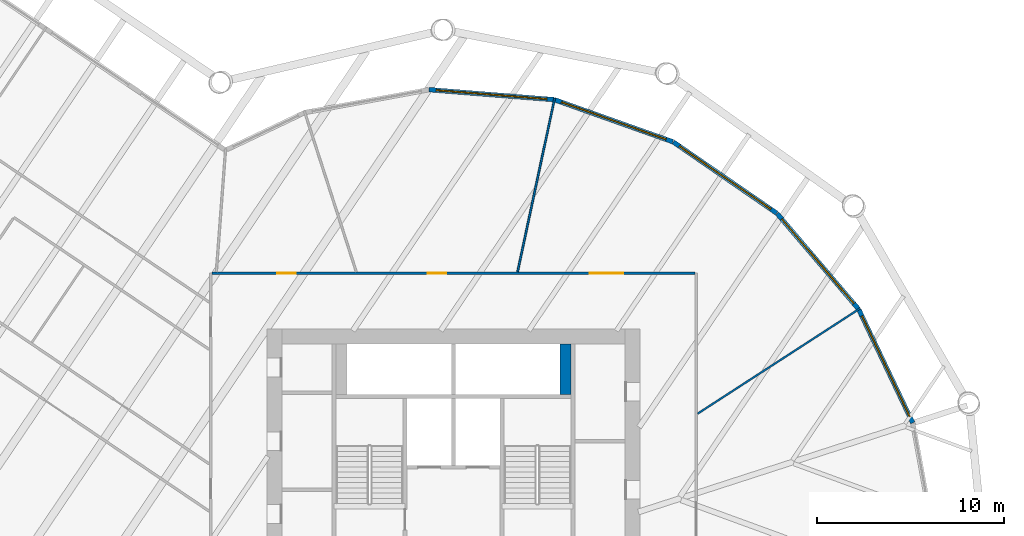
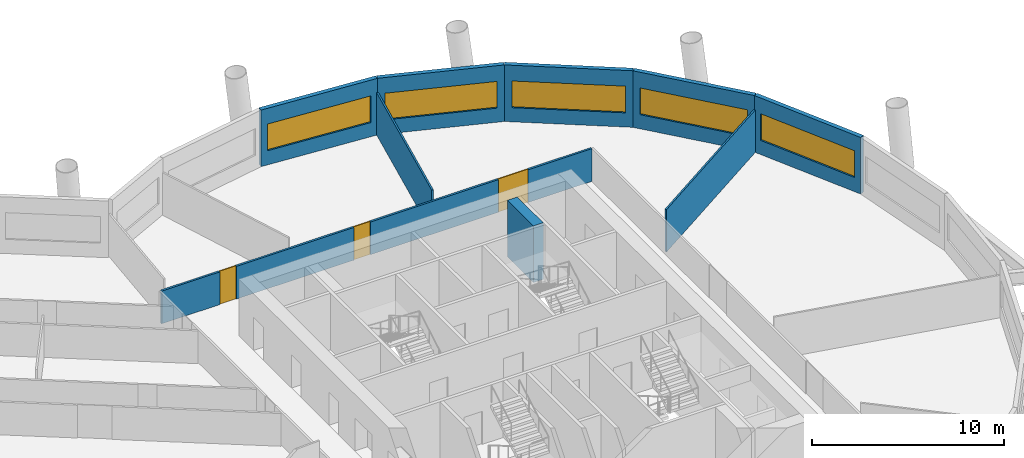
# One storey, part 7 of 13: 9 walls, 5 windows, 3 doors, 8 openings.
"""IFC4 building model written with IfcOpenShell, lengths in metres."""

from ifc_helpers import new_model, si_unit, direction, frame, frame_2d, origin, place, context, subcontext, project, spatial, rectangle, extrude, material, layer, layer_set, type_object, element, fill, save


model = new_model("IFC4")

# Units and contexts
model_context = context("Model", 3, precision=1e-05, world=origin(), true_north=direction((0.0, 1.0)))
body_context = subcontext(model_context, "Body", "Model", "MODEL_VIEW")
ifc_project = project(units=[si_unit("LENGTHUNIT", "METRE"), si_unit("AREAUNIT", "SQUARE_METRE"), si_unit("VOLUMEUNIT", "CUBIC_METRE"), si_unit("PLANEANGLEUNIT", "RADIAN"), si_unit("MASSUNIT", "GRAM", prefix="KILO")], contexts=[model_context])

# Site, building, storey
site_placement = place(None, origin())
site = spatial("IfcSite", under=ifc_project, at=site_placement, CompositionType="ELEMENT")
building_placement = place(site_placement, origin())
building = spatial("IfcBuilding", under=site, at=building_placement, Name="Tarsis Ring Headquarters", CompositionType="ELEMENT")
storey_placement = place(building_placement, frame((0.0, 0.0, 135.699951171875)))
storey = spatial("IfcBuildingStorey", under=building, at=storey_placement, Name="L31", CompositionType="ELEMENT", Elevation=135.699951171875)

# Walls
ifc_material_1 = material(Name="Gypsum board on steel studs", Category="steel")
ifc_layer_1 = layer(ifc_material_1, 0.10009765625)
ifc_layer_set_1 = layer_set([ifc_layer_1], Name="FL partition 100 unrated")
wall_type_1 = type_object("IfcWallType", Name="FL partition 100 unrated", PredefinedType="PARTITIONING", material=ifc_layer_set_1)
wall_1_placement = place(storey_placement, frame((13.083984375, 8.477294921875, 0.0), z_axis=(0.0, 0.0, 1.0), x_axis=(0.839242426289, 0.543757436654, 0.0)))
element("IfcWall", 1, at=wall_1_placement, inside=storey, type_object=wall_type_1, Name="Partition PW3", PredefinedType="PARTITIONING", context=body_context, shape_type="SweptSolid", body=[
    extrude(rectangle(XDim=10.357666015625, YDim=0.10009765625, at=frame_2d((5.1787109375, 0.0))), origin(), (0.0, 0.0, 1.0), 2.699951171875),
])
wall_2_placement = place(storey_placement, frame((3.43310546875, 16.068603515625, 0.0), z_axis=(0.0, 0.0, 1.0), x_axis=(0.208926367091, 0.97793137445, 0.0)))
element("IfcWall", 2, at=wall_2_placement, inside=storey, type_object=wall_type_1, Name="Partition PW3", PredefinedType="PARTITIONING", context=body_context, shape_type="SweptSolid", body=[
    extrude(rectangle(XDim=9.5166015625, YDim=0.10009765625, at=frame_2d((4.75830078125, 0.0))), origin(), (0.0, 0.0, 1.0), 2.699951171875),
])

# Wall, openings, doors
ifc_layer_2 = layer(ifc_material_1, 0.125)
ifc_layer_set_2 = layer_set([ifc_layer_2], Name="FL partition 125 EI 60 H2080")
wall_type_2 = type_object("IfcWallType", Name="FL partition 125 EI 60 H2080", PredefinedType="PARTITIONING", material=ifc_layer_set_2)
wall_3_placement = place(storey_placement, frame((-12.93994140625, 16.0, 0.0), z_axis=(0.0, 0.0, 1.0), x_axis=(1.0, 0.0, 0.0)))
wall_3 = element("IfcWall", 3, at=wall_3_placement, inside=storey, type_object=wall_type_2, Name="Partition PW1H208", PredefinedType="PARTITIONING", context=body_context, shape_type="SweptSolid", body=[
    extrude(rectangle(XDim=25.8798828125, YDim=0.125, at=frame_2d((12.93994140625, 0.0))), origin(), (0.0, 0.0, 1.0), 2.080078125),
])
opening_1_placement = place(wall_3_placement, frame((3.49169921875, 0.0, 0.0)))
opening_1 = element("IfcOpeningElement", 4, at=opening_1_placement, cuts=wall_3, Name="Opening D31.04", PredefinedType="OPENING", context=body_context, shape_type="SweptSolid", body=[
    extrude(rectangle(XDim=1.0, YDim=2.10009765625, at=frame_2d((0.5, 1.050048828125))), frame((0.0, 0.072509765625, 0.0), z_axis=(0.0, -1.0, 0.0), x_axis=(1.0, 0.0, 0.0)), (0.0, 0.0, 1.0), 0.14501953125),
])
opening_2_placement = place(wall_3_placement, frame((11.55908203125, 0.0, 0.0)))
opening_2 = element("IfcOpeningElement", 5, at=opening_2_placement, cuts=wall_3, Name="Opening D31.05", PredefinedType="OPENING", context=body_context, shape_type="SweptSolid", body=[
    extrude(rectangle(XDim=1.0, YDim=2.10009765625, at=frame_2d((0.5, 1.050048828125))), frame((0.0, 0.072509765625, 0.0), z_axis=(0.0, -1.0, 0.0), x_axis=(1.0, 0.0, 0.0)), (0.0, 0.0, 1.0), 0.14501953125),
])
opening_3_placement = place(wall_3_placement, frame((20.249267578125, 0.0, 0.0)))
opening_3 = element("IfcOpeningElement", 6, at=opening_3_placement, cuts=wall_3, Name="Opening D31.06", PredefinedType="OPENING", context=body_context, shape_type="SweptSolid", body=[
    extrude(rectangle(XDim=1.800048828125, YDim=2.10009765625, at=frame_2d((0.89990234375, 1.050048828125))), frame((0.0, 0.072509765625, 0.0), z_axis=(0.0, -1.0, 0.0), x_axis=(1.0, 0.0, 0.0)), (0.0, 0.0, 1.0), 0.14501953125),
])
ifc_material_2 = material(Name="Fire-rated timber door leaf in steel frame", Category="steel")
door_type_1 = type_object("IfcDoorType", Name="FL door FD60-1000", OperationType="NOTDEFINED", PredefinedType="DOOR", material=ifc_material_2)
door_1_placement = place(opening_1_placement, origin())
door_1 = element("IfcDoor", 7, at=door_1_placement, inside=storey, type_object=door_type_1, Name="Door D31.04", OperationType="SINGLE_SWING_LEFT", OverallHeight=2.10009765625, OverallWidth=1.0, PredefinedType="DOOR", context=body_context, shape_type="SweptSolid", body=[
    extrude(rectangle(XDim=1.0, YDim=2.10009765625, at=frame_2d((0.5, 1.050048828125))), frame((0.0, 0.02490234375, 0.0), z_axis=(0.0, -1.0, 0.0), x_axis=(1.0, 0.0, 0.0)), (0.0, 0.0, 1.0), 0.050048828125),
])
fill(opening_1, door_1)
door_2_placement = place(opening_2_placement, origin())
door_2 = element("IfcDoor", 8, at=door_2_placement, inside=storey, type_object=door_type_1, Name="Door D31.05", OperationType="SINGLE_SWING_RIGHT", OverallHeight=2.10009765625, OverallWidth=1.0, PredefinedType="DOOR", context=body_context, shape_type="SweptSolid", body=[
    extrude(rectangle(XDim=1.0, YDim=2.10009765625, at=frame_2d((0.5, 1.050048828125))), frame((0.0, 0.02490234375, 0.0), z_axis=(0.0, -1.0, 0.0), x_axis=(1.0, 0.0, 0.0)), (0.0, 0.0, 1.0), 0.050048828125),
])
fill(opening_2, door_2)
door_type_2 = type_object("IfcDoorType", Name="FL door FD60-1800", OperationType="DOUBLE_DOOR_SINGLE_SWING", PredefinedType="DOOR", material=ifc_material_2)
door_3_placement = place(opening_3_placement, origin())
door_3 = element("IfcDoor", 9, at=door_3_placement, inside=storey, type_object=door_type_2, Name="Door D31.06", OperationType="DOUBLE_DOOR_SINGLE_SWING", OverallHeight=2.10009765625, OverallWidth=1.800048828125, PredefinedType="DOOR", context=body_context, shape_type="SweptSolid", body=[
    extrude(rectangle(XDim=1.800048828125, YDim=2.10009765625, at=frame_2d((0.89990234375, 1.050048828125))), frame((0.0, 0.02490234375, 0.0), z_axis=(0.0, -1.0, 0.0), x_axis=(1.0, 0.0, 0.0)), (0.0, 0.0, 1.0), 0.050048828125),
])
fill(opening_3, door_3)

# Wall, opening, window
ifc_material_3 = material(Name="Terracotta clad insulated panel wall", Category="masonry")
ifc_layer_3 = layer(ifc_material_3, 0.25)
ifc_layer_set_3 = layer_set([ifc_layer_3], Name="Facade wall terracotta panel 250")
wall_type_3 = type_object("IfcWallType", Name="Facade wall terracotta panel 250", PredefinedType="STANDARD", material=ifc_layer_set_3)
wall_4_placement = place(storey_placement, frame((24.60888671875, 7.984619140625, 0.0), z_axis=(0.0, 0.0, 1.0), x_axis=(-0.429576842152, 0.903030307734, 0.0)))
wall_4 = element("IfcWall", 10, at=wall_4_placement, inside=storey, type_object=wall_type_3, Name="External wall L31-24", PredefinedType="STANDARD", context=body_context, shape_type="SweptSolid", body=[
    extrude(rectangle(XDim=6.7216796875, YDim=0.25, at=frame_2d((3.36083984375, 0.0))), origin(), (0.0, 0.0, 1.0), 3.60009765625),
])
opening_4_placement = place(wall_4_placement, frame((0.3857421875, 0.0, 0.89990234375)))
opening_4 = element("IfcOpeningElement", 11, at=opening_4_placement, cuts=wall_4, Name="Opening WN07", PredefinedType="OPENING", context=body_context, shape_type="SweptSolid", body=[
    extrude(rectangle(XDim=5.949951171875, YDim=1.699951171875, at=frame_2d((2.97509765625, 0.85009765625))), frame((0.0, 0.135009765625, 0.0), z_axis=(0.0, -1.0, 0.0), x_axis=(1.0, 0.0, 0.0)), (0.0, 0.0, 1.0), 0.27001953125),
])
ifc_material_4 = material(Name="Aluminium framed double glazing", Category="aluminium")
window_type = type_object("IfcWindowType", Name="Facade window 5950 x 1700", PartitioningType="SINGLE_PANEL", PredefinedType="WINDOW", material=ifc_material_4)
window_1_placement = place(opening_4_placement, origin())
window_1 = element("IfcWindow", 12, at=window_1_placement, inside=storey, type_object=window_type, Name="Window L31-24.1", OverallHeight=1.699951171875, OverallWidth=5.949951171875, PartitioningType="SINGLE_PANEL", PredefinedType="WINDOW", context=body_context, shape_type="SweptSolid", body=[
    extrude(rectangle(XDim=5.949951171875, YDim=1.699951171875, at=frame_2d((2.97509765625, 0.85009765625))), frame((0.0, 0.030029296875, 0.0), z_axis=(0.0, -1.0, 0.0), x_axis=(1.0, 0.0, 0.0)), (0.0, 0.0, 1.0), 0.06005859375),
])
fill(opening_4, window_1)

wall_5_placement = place(storey_placement, frame((21.703857421875, 14.081787109375, 0.0), z_axis=(0.0, 0.0, 1.0), x_axis=(-0.648662101469, 0.761076525796, 0.0)))
wall_5 = element("IfcWall", 13, at=wall_5_placement, inside=storey, type_object=wall_type_3, Name="External wall L31-25", PredefinedType="STANDARD", context=body_context, shape_type="SweptSolid", body=[
    extrude(rectangle(XDim=6.7216796875, YDim=0.25, at=frame_2d((3.36083984375, 0.0))), origin(), (0.0, 0.0, 1.0), 3.60009765625),
])
opening_5_placement = place(wall_5_placement, frame((0.3857421875, 0.0, 0.89990234375)))
opening_5 = element("IfcOpeningElement", 14, at=opening_5_placement, cuts=wall_5, Name="Opening WN07", PredefinedType="OPENING", context=body_context, shape_type="SweptSolid", body=[
    extrude(rectangle(XDim=5.949951171875, YDim=1.699951171875, at=frame_2d((2.97509765625, 0.85009765625))), frame((0.0, 0.135009765625, 0.0), z_axis=(0.0, -1.0, 0.0), x_axis=(1.0, 0.0, 0.0)), (0.0, 0.0, 1.0), 0.27001953125),
])
window_2_placement = place(opening_5_placement, origin())
window_2 = element("IfcWindow", 15, at=window_2_placement, inside=storey, type_object=window_type, Name="Window L31-25.1", OverallHeight=1.699951171875, OverallWidth=5.949951171875, PartitioningType="SINGLE_PANEL", PredefinedType="WINDOW", context=body_context, shape_type="SweptSolid", body=[
    extrude(rectangle(XDim=5.949951171875, YDim=1.699951171875, at=frame_2d((2.97509765625, 0.85009765625))), frame((0.0, 0.030029296875, 0.0), z_axis=(0.0, -1.0, 0.0), x_axis=(1.0, 0.0, 0.0)), (0.0, 0.0, 1.0), 0.06005859375),
])
fill(opening_5, window_2)

wall_6_placement = place(storey_placement, frame((17.319580078125, 19.21923828125, 0.0), z_axis=(0.0, 0.0, 1.0), x_axis=(-0.823527586087, 0.567276224562, 0.0)))
wall_6 = element("IfcWall", 16, at=wall_6_placement, inside=storey, type_object=wall_type_3, Name="External wall L31-26", PredefinedType="STANDARD", context=body_context, shape_type="SweptSolid", body=[
    extrude(rectangle(XDim=6.7216796875, YDim=0.25, at=frame_2d((3.36083984375, 0.0))), origin(), (0.0, 0.0, 1.0), 3.60009765625),
])
opening_6_placement = place(wall_6_placement, frame((0.3857421875, 0.0, 0.89990234375)))
opening_6 = element("IfcOpeningElement", 17, at=opening_6_placement, cuts=wall_6, Name="Opening WN07", PredefinedType="OPENING", context=body_context, shape_type="SweptSolid", body=[
    extrude(rectangle(XDim=5.949951171875, YDim=1.699951171875, at=frame_2d((2.97509765625, 0.85009765625))), frame((0.0, 0.135009765625, 0.0), z_axis=(0.0, -1.0, 0.0), x_axis=(1.0, 0.0, 0.0)), (0.0, 0.0, 1.0), 0.27001953125),
])
window_3_placement = place(opening_6_placement, origin())
window_3 = element("IfcWindow", 18, at=window_3_placement, inside=storey, type_object=window_type, Name="Window L31-26.1", OverallHeight=1.699951171875, OverallWidth=5.949951171875, PartitioningType="SINGLE_PANEL", PredefinedType="WINDOW", context=body_context, shape_type="SweptSolid", body=[
    extrude(rectangle(XDim=5.949951171875, YDim=1.699951171875, at=frame_2d((2.97509765625, 0.85009765625))), frame((0.0, 0.030029296875, 0.0), z_axis=(0.0, -1.0, 0.0), x_axis=(1.0, 0.0, 0.0)), (0.0, 0.0, 1.0), 0.06005859375),
])
fill(opening_6, window_3)

wall_7_placement = place(storey_placement, frame((11.755126953125, 23.047119140625, 0.0), z_axis=(0.0, 0.0, 1.0), x_axis=(-0.942296955215, 0.334778207463, 0.0)))
wall_7 = element("IfcWall", 19, at=wall_7_placement, inside=storey, type_object=wall_type_3, Name="External wall L31-27", PredefinedType="STANDARD", context=body_context, shape_type="SweptSolid", body=[
    extrude(rectangle(XDim=6.7216796875, YDim=0.25, at=frame_2d((3.36083984375, 0.0))), origin(), (0.0, 0.0, 1.0), 3.60009765625),
])
opening_7_placement = place(wall_7_placement, frame((0.3857421875, 0.0, 0.89990234375)))
opening_7 = element("IfcOpeningElement", 20, at=opening_7_placement, cuts=wall_7, Name="Opening WN07", PredefinedType="OPENING", context=body_context, shape_type="SweptSolid", body=[
    extrude(rectangle(XDim=5.949951171875, YDim=1.699951171875, at=frame_2d((2.97509765625, 0.85009765625))), frame((0.0, 0.135009765625, 0.0), z_axis=(0.0, -1.0, 0.0), x_axis=(1.0, 0.0, 0.0)), (0.0, 0.0, 1.0), 0.27001953125),
])
window_4_placement = place(opening_7_placement, origin())
window_4 = element("IfcWindow", 21, at=window_4_placement, inside=storey, type_object=window_type, Name="Window L31-27.1", OverallHeight=1.699951171875, OverallWidth=5.949951171875, PartitioningType="SINGLE_PANEL", PredefinedType="WINDOW", context=body_context, shape_type="SweptSolid", body=[
    extrude(rectangle(XDim=5.949951171875, YDim=1.699951171875, at=frame_2d((2.97509765625, 0.85009765625))), frame((0.0, 0.030029296875, 0.0), z_axis=(0.0, -1.0, 0.0), x_axis=(1.0, 0.0, 0.0)), (0.0, 0.0, 1.0), 0.06005859375),
])
fill(opening_7, window_4)

wall_8_placement = place(storey_placement, frame((5.3896484375, 25.30419921875, 0.0), z_axis=(0.0, 0.0, 1.0), x_axis=(-0.996834305695, 0.079507024783, 0.0)))
wall_8 = element("IfcWall", 22, at=wall_8_placement, inside=storey, type_object=wall_type_3, Name="External wall L31-28", PredefinedType="STANDARD", context=body_context, shape_type="SweptSolid", body=[
    extrude(rectangle(XDim=6.7216796875, YDim=0.25, at=frame_2d((3.36083984375, 0.0))), origin(), (0.0, 0.0, 1.0), 3.60009765625),
])
opening_8_placement = place(wall_8_placement, frame((0.3857421875, 0.0, 0.89990234375)))
opening_8 = element("IfcOpeningElement", 23, at=opening_8_placement, cuts=wall_8, Name="Opening WN07", PredefinedType="OPENING", context=body_context, shape_type="SweptSolid", body=[
    extrude(rectangle(XDim=5.949951171875, YDim=1.699951171875, at=frame_2d((2.97509765625, 0.85009765625))), frame((0.0, 0.135009765625, 0.0), z_axis=(0.0, -1.0, 0.0), x_axis=(1.0, 0.0, 0.0)), (0.0, 0.0, 1.0), 0.27001953125),
])
window_5_placement = place(opening_8_placement, origin())
window_5 = element("IfcWindow", 24, at=window_5_placement, inside=storey, type_object=window_type, Name="Window L31-28.1", OverallHeight=1.699951171875, OverallWidth=5.949951171875, PartitioningType="SINGLE_PANEL", PredefinedType="WINDOW", context=body_context, shape_type="SweptSolid", body=[
    extrude(rectangle(XDim=5.949951171875, YDim=1.699951171875, at=frame_2d((2.97509765625, 0.85009765625))), frame((0.0, 0.030029296875, 0.0), z_axis=(0.0, -1.0, 0.0), x_axis=(1.0, 0.0, 0.0)), (0.0, 0.0, 1.0), 0.06005859375),
])
fill(opening_8, window_5)

# Wall
ifc_material_5 = material(Name="Concrete C32/40", Category="concrete")
ifc_layer_4 = layer(ifc_material_5, 0.60009765625)
ifc_layer_set_4 = layer_set([ifc_layer_4], Name="Shaft end wall 600 C32/40")
wall_type_4 = type_object("IfcWallType", Name="Shaft end wall 600 C32/40", PredefinedType="SOLIDWALL", material=ifc_layer_set_4)
wall_9_placement = place(storey_placement, frame((6.0, 9.5, 0.0), z_axis=(0.0, 0.0, 1.0), x_axis=(0.0, 1.0, 0.0)))
element("IfcWall", 25, at=wall_9_placement, inside=storey, type_object=wall_type_4, Name="Core shaft wall NNE2", PredefinedType="SOLIDWALL", context=body_context, shape_type="SweptSolid", body=[
    extrude(rectangle(XDim=2.699951171875, YDim=0.60009765625, at=frame_2d((1.35009765625, 0.0))), origin(), (0.0, 0.0, 1.0), 3.60009765625),
])

save(model, "model.ifc")
